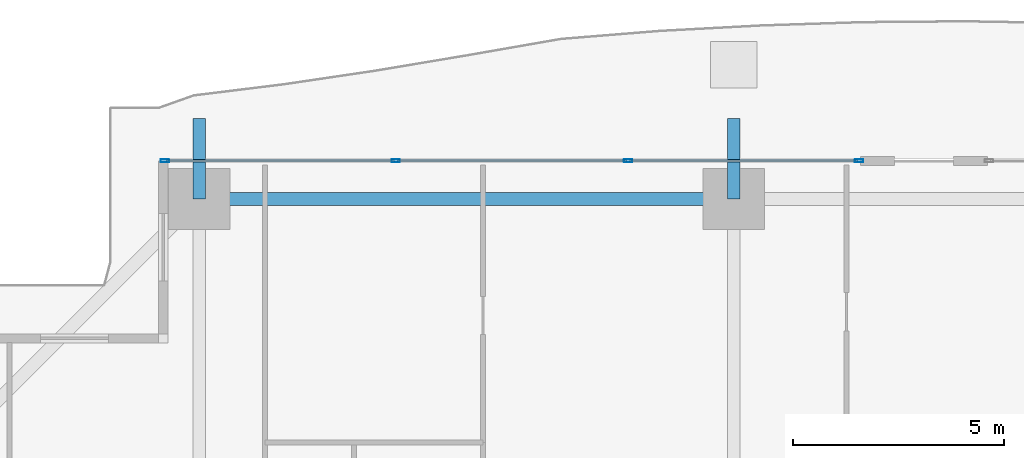
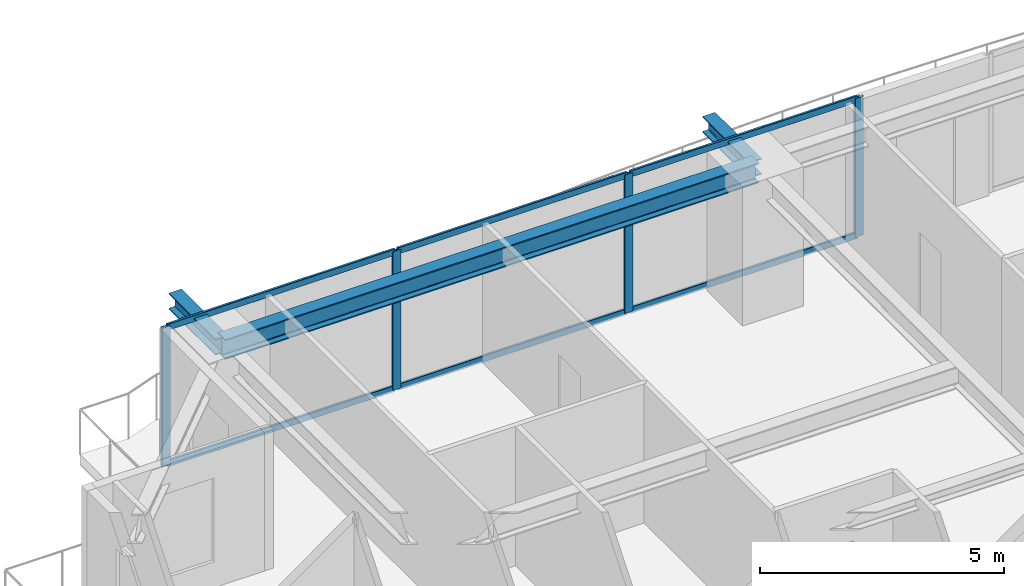
# One storey, part 17 of 35: 10 members, 3 beams, 1 element without a shape of its own.
"""IFC4 building model written with IfcOpenShell, lengths in metres."""

import ifcopenshell
import ifcopenshell.guid

model = None  # the IFC model being written
_history = None  # IfcOwnerHistory: only IFC2X3 demands one
_inside = {}  # id of a spatial element -> (the spatial element, [elements in it])
_under = {}  # id of a project, library or spatial element -> (it, [spatial elements below it])
_declared = {}  # id of a project -> (the project, [libraries it declares])
_typed = {}  # id of a type object -> (the type object, [elements of that type])
_made_of = {}  # id of a material, layer set ... -> (it, [elements and type objects made of it])


def new_model(schema):
    """Start an empty IFC model of exactly this schema.

    Asked for "IFC4X3", IfcOpenShell would pick the latest addendum, in which some entities
    have other attributes; the version numbers below select the first issue.
    IFC2X3 requires an IfcOwnerHistory on every rooted entity: one is made here for all.
    """
    global model, _history
    if schema == "IFC4X3":
        model = ifcopenshell.file(schema_version=(4, 3, 0, 0))
    else:
        model = ifcopenshell.file(schema=schema)
    _inside.clear()
    _under.clear()
    _declared.clear()
    _typed.clear()
    _made_of.clear()
    _history = None
    if model.schema == "IFC2X3":
        org = make("IfcOrganization", Name="unknown")
        user = make(
            "IfcPersonAndOrganization",
            ThePerson=make("IfcPerson", FamilyName="unknown"),
            TheOrganization=org,
        )
        app = make(
            "IfcApplication",
            ApplicationDeveloper=org,
            Version="unknown",
            ApplicationFullName="unknown",
            ApplicationIdentifier="unknown",
        )
        _history = make(
            "IfcOwnerHistory",
            OwningUser=user,
            OwningApplication=app,
            ChangeAction="ADDED",
            CreationDate=0,
        )
    return model


def make(cls, **values):
    """One entity of the class cls with the attributes given. An attribute that is None is left unset."""
    return model.create_entity(
        cls, **{name: value for name, value in values.items() if value is not None}
    )


def rooted(cls, **values):
    """An entity with a GlobalId (a new one), such as an element, a storey or a relation."""
    return make(cls, GlobalId=ifcopenshell.guid.new(), OwnerHistory=_history, **values)


def si_unit(unit_type, name, prefix=None):
    """IfcSIUnit, for example si_unit("LENGTHUNIT", "METRE", prefix="MILLI")."""
    return make("IfcSIUnit", UnitType=unit_type, Prefix=prefix, Name=name)


def assignment(units):
    """IfcUnitAssignment: the units of a project."""
    return None if units is None else make("IfcUnitAssignment", Units=units)


def point(xyz):
    """IfcCartesianPoint."""
    return None if xyz is None else make("IfcCartesianPoint", Coordinates=xyz)


def direction(xyz):
    """IfcDirection."""
    return None if xyz is None else make("IfcDirection", DirectionRatios=xyz)


def frame(location, z_axis=None, x_axis=None):
    """IfcAxis2Placement3D, a coordinate frame: its origin and axes. An axis left out is left unset."""
    return make(
        "IfcAxis2Placement3D",
        Location=point(location),
        Axis=direction(z_axis),
        RefDirection=direction(x_axis),
    )


def frame_2d(location, x_axis=None):
    """IfcAxis2Placement2D, a coordinate frame in the plane: its origin and x axis."""
    return make(
        "IfcAxis2Placement2D", Location=point(location), RefDirection=direction(x_axis)
    )


def origin():
    """The frame at (0, 0, 0) with its axes left unset."""
    return frame((0.0, 0.0, 0.0))


def origin_2d():
    """The frame at (0, 0) in the plane with its x axis left unset."""
    return frame_2d((0.0, 0.0))


def place(relative_to, where):
    """IfcLocalPlacement: puts the frame where relative to a parent placement (None: the world)."""
    return make(
        "IfcLocalPlacement", PlacementRelTo=relative_to, RelativePlacement=where
    )


def context(
    kind, dimensions, precision=None, world=None, true_north=None, identifier=None
):
    """IfcGeometricRepresentationContext, for example the 3D "Model" context."""
    return make(
        "IfcGeometricRepresentationContext",
        ContextIdentifier=identifier,
        ContextType=kind,
        CoordinateSpaceDimension=dimensions,
        Precision=precision,
        WorldCoordinateSystem=world,
        TrueNorth=true_north,
    )


def subcontext(parent, identifier, kind, view, scale=None):
    """IfcGeometricRepresentationSubContext, for example "Body" below "Model"."""
    return make(
        "IfcGeometricRepresentationSubContext",
        ContextIdentifier=identifier,
        ContextType=kind,
        ParentContext=parent,
        TargetScale=scale,
        TargetView=view,
    )


def project(units=None, contexts=None):
    """IfcProject with its units and contexts."""
    return rooted(
        "IfcProject",
        Name="project",
        RepresentationContexts=contexts,
        UnitsInContext=assignment(units),
    )


def spatial(cls, under=None, at=None, **own):
    """A site, building, storey or space (cls), placed at a placement, below another one or the project."""
    s = rooted(cls, ObjectPlacement=at, **own)
    if under is not None:
        _under.setdefault(under.id(), (under, []))[1].append(s)
    return s


def profile(cls, at=None, kind="AREA", **sizes):
    """A parametric profile (cls). Its sizes go by their IFC names, for example OverallWidth=200.0."""
    return make(cls, ProfileType=kind, Position=at, **sizes)


def hollow_rectangle(**sizes):
    """IfcRectangleHollowProfileDef."""
    return profile("IfcRectangleHollowProfileDef", **sizes)


def i_section(**sizes):
    """IfcIShapeProfileDef."""
    return profile("IfcIShapeProfileDef", **sizes)


def extrude(swept, where, along, depth):
    """IfcExtrudedAreaSolid: the profile swept, set in the frame where, extruded along a direction by depth."""
    return make(
        "IfcExtrudedAreaSolid",
        SweptArea=swept,
        Position=where,
        ExtrudedDirection=direction(along),
        Depth=depth,
    )


def shape(context_of_items, identifier, shape_type, items):
    """IfcShapeRepresentation: the items that make up one representation, for example the "Body"."""
    return make(
        "IfcShapeRepresentation",
        ContextOfItems=context_of_items,
        RepresentationIdentifier=identifier,
        RepresentationType=shape_type,
        Items=items,
    )


def source(mapping_origin, context_of_items, identifier, shape_type, items):
    """IfcRepresentationMap: a shape defined once, which mapped items show again and again."""
    return make(
        "IfcRepresentationMap",
        MappingOrigin=mapping_origin,
        MappedRepresentation=shape(context_of_items, identifier, shape_type, items),
    )


def transform(
    local_origin,
    x_axis=None,
    y_axis=None,
    z_axis=None,
    scale=None,
    scale2=None,
    scale3=None,
    uniform=True,
):
    """IfcCartesianTransformationOperator3D, or its non-uniform kind. x_axis, y_axis, z_axis: its Axis1, 2, 3."""
    if uniform:
        return make(
            "IfcCartesianTransformationOperator3D",
            Axis1=direction(x_axis),
            Axis2=direction(y_axis),
            LocalOrigin=point(local_origin),
            Scale=scale,
            Axis3=direction(z_axis),
        )
    return make(
        "IfcCartesianTransformationOperator3DnonUniform",
        Axis1=direction(x_axis),
        Axis2=direction(y_axis),
        LocalOrigin=point(local_origin),
        Scale=scale,
        Axis3=direction(z_axis),
        Scale2=scale2,
        Scale3=scale3,
    )


def mapped(mapping_source, mapping_target):
    """IfcMappedItem: shows the shape of a source again, moved by a transform."""
    return make(
        "IfcMappedItem", MappingSource=mapping_source, MappingTarget=mapping_target
    )


def material(Name=None, Category=None):
    """IfcMaterial."""
    return make("IfcMaterial", Name=Name, Category=Category)


def layer(
    of_material, thickness, ventilated=None, Name=None, Category=None, Priority=None
):
    """IfcMaterialLayer: one layer of a wall or slab, of a material (None: an air gap)."""
    return make(
        "IfcMaterialLayer",
        Material=of_material,
        LayerThickness=thickness,
        IsVentilated=ventilated,
        Name=Name,
        Category=Category,
        Priority=Priority,
    )


def layer_set(layers, Name=None):
    """IfcMaterialLayerSet."""
    return make("IfcMaterialLayerSet", MaterialLayers=layers, LayerSetName=Name)


def material_profile(
    of_material, cross_section, Name=None, Category=None, Priority=None
):
    """IfcMaterialProfile: a cross section and its material."""
    return make(
        "IfcMaterialProfile",
        Name=Name,
        Material=of_material,
        Profile=cross_section,
        Priority=Priority,
        Category=Category,
    )


def profile_set(profiles, Name=None, composite=None):
    """IfcMaterialProfileSet."""
    return make(
        "IfcMaterialProfileSet",
        Name=Name,
        MaterialProfiles=profiles,
        CompositeProfile=composite,
    )


def made_of(thing, what):
    """Note that an element or type object is made of a material, layer set ...; save() writes the relation."""
    if what is not None:
        _made_of.setdefault(what.id(), (what, []))[1].append(thing)
    return thing


def type_object(cls, material=None, **own):
    """A type object (cls), such as IfcWallType, which elements share."""
    return made_of(rooted(cls, **own), material)


def element(
    cls,
    number,
    at=None,
    inside=None,
    cuts=None,
    type_object=None,
    material=None,
    context=None,
    identifier="Body",
    shape_type=None,
    held_by="IfcProductDefinitionShape",
    body=None,
    shapes=None,
    **own,
):
    """One element of the class cls, such as IfcWall. Its Tag is "e" and its number.

    at: its placement. inside: the storey or other place that contains it. cuts: it is an
    opening in that element (IfcRelVoidsElement). A single representation is given by context,
    identifier, shape_type and body (its items); several are given by shapes. held_by: the class
    of the entity that holds the representations. save() writes the other relations.
    """
    e = rooted(cls, Tag="e%d" % number, ObjectPlacement=at, **own)
    if body is not None:
        shapes = [shape(context, identifier, shape_type, body)]
    if shapes is not None:
        e.Representation = make(held_by, Representations=shapes)
    if inside is not None:
        _inside.setdefault(inside.id(), (inside, []))[1].append(e)
    if cuts is not None:
        rooted(
            "IfcRelVoidsElement", RelatingBuildingElement=cuts, RelatedOpeningElement=e
        )
    if type_object is not None:
        _typed.setdefault(type_object.id(), (type_object, []))[1].append(e)
    return made_of(e, material)


def aggregate(whole, parts):
    """IfcRelAggregates: a whole, such as a stair, and the parts it consists of."""
    return rooted("IfcRelAggregates", RelatingObject=whole, RelatedObjects=parts)


def save(model, path):
    """Write the relations noted so far, then the file.

    IfcRelAggregates (storeys below a building ...), IfcRelContainedInSpatialStructure (elements
    in a storey), IfcRelDefinesByType, IfcRelAssociatesMaterial and IfcRelDeclares: one each for
    every whole, place, type object, material and project.
    """
    for whole, parts in _under.values():
        aggregate(whole, parts)
    for where, things in _inside.values():
        rooted(
            "IfcRelContainedInSpatialStructure",
            RelatedElements=things,
            RelatingStructure=where,
        )
    for kind, things in _typed.values():
        rooted("IfcRelDefinesByType", RelatedObjects=things, RelatingType=kind)
    for what, things in _made_of.values():
        rooted("IfcRelAssociatesMaterial", RelatedObjects=things, RelatingMaterial=what)
    for by, libraries in _declared.values():
        rooted("IfcRelDeclares", RelatingContext=by, RelatedDefinitions=libraries)
    model.write(path)


model = new_model("IFC4")

# Units and contexts
model_context = context("Model", 3, precision=1e-05, world=origin(), true_north=direction((0.0, 1.0)))
body_context = subcontext(model_context, "Body", "Model", "MODEL_VIEW")
ifc_project = project(units=[si_unit("LENGTHUNIT", "METRE"), si_unit("AREAUNIT", "SQUARE_METRE"), si_unit("VOLUMEUNIT", "CUBIC_METRE"), si_unit("PLANEANGLEUNIT", "RADIAN"), si_unit("MASSUNIT", "GRAM", prefix="KILO")], contexts=[model_context])

# Site, building, storey
site_placement = place(None, origin())
site = spatial("IfcSite", under=ifc_project, at=site_placement, CompositionType="ELEMENT")
building_placement = place(site_placement, origin())
building = spatial("IfcBuilding", under=site, at=building_placement, Name="Serunith Strait Residences", CompositionType="ELEMENT")
storey_placement = place(building_placement, frame((0.0, 0.0, 71.699951171875)))
storey = spatial("IfcBuildingStorey", under=building, at=storey_placement, Name="L17", CompositionType="ELEMENT", Elevation=71.699951171875)

# Beams
ifc_material_1 = material(Name="Steel S355J2", Category="steel")
ifc_material_profile_1 = material_profile(ifc_material_1, i_section(OverallWidth=0.300048828125, OverallDepth=0.5, WebThickness=0.014404296875, FlangeThickness=0.028076171875, FilletRadius=0.027099609375, at=origin_2d()), Name="HEB 500")
ifc_profile_set_1 = profile_set([ifc_material_profile_1], Name="Steel S355J2")
beam_type_1 = type_object("IfcBeamType", Name="BM-HEB500", PredefinedType="BEAM", material=ifc_profile_set_1)
shared_shape_1 = source(origin(), body_context, "Body", "SweptSolid", [
    extrude(i_section(OverallWidth=0.300048828125, OverallDepth=0.5, WebThickness=0.014404296875, FlangeThickness=0.028076171875, FilletRadius=0.027099609375, at=origin_2d()), origin(), (0.0, 0.0, 1.0), 12.64990234375),
])
beam_placement = place(storey_placement, frame((27.89990234375, 49.300048828125, 3.237060546875), z_axis=(-1.0, 0.0, 0.0), x_axis=(0.0, -1.0, 0.0)))
element("IfcBeam", 1, at=beam_placement, inside=storey, type_object=beam_type_1, Name="L17 Perimeter Ring Beam 11", PredefinedType="BEAM", context=body_context, shape_type="MappedRepresentation", body=[
    mapped(shared_shape_1, transform((0.0, 0.0, 0.0), scale=1.0)),
])
ifc_material_profile_2 = material_profile(ifc_material_1, i_section(OverallWidth=0.300048828125, OverallDepth=0.39990234375, WebThickness=0.013427734375, FlangeThickness=0.02392578125, FilletRadius=0.027099609375, at=origin_2d()), Name="HEB 400")
ifc_profile_set_2 = profile_set([ifc_material_profile_2], Name="Steel S355J2")
beam_type_2 = type_object("IfcBeamType", Name="BM-HEB400", PredefinedType="BEAM", material=ifc_profile_set_2)
shared_shape_2 = source(origin(), body_context, "Body", "SweptSolid", [
    extrude(i_section(OverallWidth=0.300048828125, OverallDepth=0.39990234375, WebThickness=0.013427734375, FlangeThickness=0.02392578125, FilletRadius=0.027099609375, at=origin_2d()), origin(), (0.0, 0.0, 1.0), 1.909912109375),
])
for number, where, z_axis, x_axis, name in (
    (2, (15.25, 49.300048828125, 3.257080078125), (0.0, 1.0, 0.0), (-1.0, 0.0, 0.0), "L18 Cantilevered Balcony Rib TC-N1"),
    (3, (27.89990234375, 49.300048828125, 3.257080078125), (0.0, 1.0, 0.0), (-1.0, 0.0, 0.0), "L18 Cantilevered Balcony Rib TC-N2"),
):
    element("IfcBeam", number, at=place(storey_placement, frame(where, z_axis=z_axis, x_axis=x_axis)), inside=storey, type_object=beam_type_2, Name=name, PredefinedType="BEAM", context=body_context, shape_type="MappedRepresentation", body=[
        mapped(shared_shape_2, transform((0.0, 0.0, 0.0), scale=1.0)),
    ])

# Curtain wall, members
ifc_material_2 = material(Name="Pale-Champagne Anodised Aluminium", Category="aluminium")
ifc_layer = layer(ifc_material_2, 0.199951171875, Name="Pale-Champagne Anodised Aluminium")
ifc_layer_set = layer_set([ifc_layer], Name="Pale-Champagne Anodised Aluminium")
curtain_wall_type = type_object("IfcCurtainWallType", Name="CW-SYS1", PredefinedType="NOTDEFINED", material=ifc_layer_set)
curtain_wall_placement = place(storey_placement, origin())
curtain_wall = element("IfcCurtainWall", 4, at=curtain_wall_placement, inside=storey, type_object=curtain_wall_type, Name="L17 N Unitised Fritted Curtain Wall", PredefinedType="NOTDEFINED")
ifc_material_profile_3 = material_profile(ifc_material_2, hollow_rectangle(XDim=0.070068359375, YDim=0.199951171875, WallThickness=0.00390625, InnerFilletRadius=0.006103515625, OuterFilletRadius=0.010009765625, at=origin_2d()), Name="ALU 200x70x4")
ifc_profile_set_3 = profile_set([ifc_material_profile_3], Name="Pale-Champagne Anodised Aluminium")
member_type_1 = type_object("IfcMemberType", Name="CW-SYS1-MULL", PredefinedType="MULLION", material=ifc_profile_set_3)
shared_shape_3 = source(origin(), body_context, "Body", "SweptSolid", [
    extrude(hollow_rectangle(XDim=0.070068359375, YDim=0.199951171875, WallThickness=0.00390625, InnerFilletRadius=0.006103515625, OuterFilletRadius=0.010009765625, at=origin_2d()), origin(), (0.0, 0.0, 1.0), 3.47509765625),
])
member_1_placement = place(storey_placement, frame((30.864990234375, 50.199951171875, 0.0), z_axis=(0.0, 0.0, 1.0), x_axis=(0.0, -1.0, 0.0)))
member_1 = element("IfcMember", 5, at=member_1_placement, type_object=member_type_1, Name="CW-1 mullion 1", PredefinedType="MULLION", context=body_context, shape_type="MappedRepresentation", body=[
    mapped(shared_shape_3, transform((0.0, 0.0, 0.0), scale=1.0)),
])
member_2_placement = place(storey_placement, frame((25.39990234375, 50.199951171875, 0.0), z_axis=(0.0, 0.0, 1.0), x_axis=(0.0, -1.0, 0.0)))
member_2 = element("IfcMember", 6, at=member_2_placement, type_object=member_type_1, Name="CW-1 mullion 2", PredefinedType="MULLION", context=body_context, shape_type="MappedRepresentation", body=[
    mapped(shared_shape_3, transform((0.0, 0.0, 0.0), scale=1.0)),
])
member_3_placement = place(storey_placement, frame((19.89990234375, 50.199951171875, 0.0), z_axis=(0.0, 0.0, 1.0), x_axis=(0.0, -1.0, 0.0)))
member_3 = element("IfcMember", 7, at=member_3_placement, type_object=member_type_1, Name="CW-1 mullion 3", PredefinedType="MULLION", context=body_context, shape_type="MappedRepresentation", body=[
    mapped(shared_shape_3, transform((0.0, 0.0, 0.0), scale=1.0)),
])
member_4_placement = place(storey_placement, frame((14.43505859375, 50.199951171875, 0.0), z_axis=(0.0, 0.0, 1.0), x_axis=(0.0, -1.0, 0.0)))
member_4 = element("IfcMember", 8, at=member_4_placement, type_object=member_type_1, Name="CW-1 mullion 4", PredefinedType="MULLION", context=body_context, shape_type="MappedRepresentation", body=[
    mapped(shared_shape_3, transform((0.0, 0.0, 0.0), scale=1.0)),
])
ifc_material_profile_4 = material_profile(ifc_material_2, hollow_rectangle(XDim=0.06005859375, YDim=0.159912109375, WallThickness=0.00341796875, InnerFilletRadius=0.00537109375, OuterFilletRadius=0.0087890625, at=origin_2d()), Name="ALU 160x60x3.5")
ifc_profile_set_4 = profile_set([ifc_material_profile_4], Name="Pale-Champagne Anodised Aluminium")
member_type_2 = type_object("IfcMemberType", Name="CW-SYS1-TRAN", PredefinedType="USERDEFINED", material=ifc_profile_set_4)
shared_shape_4 = source(origin(), body_context, "Body", "SweptSolid", [
    extrude(hollow_rectangle(XDim=0.06005859375, YDim=0.159912109375, WallThickness=0.00341796875, InnerFilletRadius=0.00537109375, OuterFilletRadius=0.0087890625, at=origin_2d()), origin(), (0.0, 0.0, 1.0), 5.39501953125),
])
member_5_placement = place(storey_placement, frame((30.830078125, 50.199951171875, 0.030029296875), z_axis=(-1.0, 0.0, 0.0), x_axis=(0.0, -1.0, 0.0)))
member_5 = element("IfcMember", 9, at=member_5_placement, type_object=member_type_2, Name="CW-1 transom 1.1", ObjectType="TRANSOM", PredefinedType="USERDEFINED", context=body_context, shape_type="MappedRepresentation", body=[
    mapped(shared_shape_4, transform((0.0, 0.0, 0.0), scale=1.0)),
])
member_6_placement = place(storey_placement, frame((30.830078125, 50.199951171875, 3.445068359375), z_axis=(-1.0, 0.0, 0.0), x_axis=(0.0, -1.0, 0.0)))
member_6 = element("IfcMember", 10, at=member_6_placement, type_object=member_type_2, Name="CW-1 transom 1.2", ObjectType="TRANSOM", PredefinedType="USERDEFINED", context=body_context, shape_type="MappedRepresentation", body=[
    mapped(shared_shape_4, transform((0.0, 0.0, 0.0), scale=1.0)),
])
member_7_placement = place(storey_placement, frame((19.864990234375, 50.199951171875, 0.030029296875), z_axis=(-1.0, 0.0, 0.0), x_axis=(0.0, -1.0, 0.0)))
member_7 = element("IfcMember", 11, at=member_7_placement, type_object=member_type_2, Name="CW-1 transom 3.1", ObjectType="TRANSOM", PredefinedType="USERDEFINED", context=body_context, shape_type="MappedRepresentation", body=[
    mapped(shared_shape_4, transform((0.0, 0.0, 0.0), scale=1.0)),
])
member_8_placement = place(storey_placement, frame((19.864990234375, 50.199951171875, 3.445068359375), z_axis=(-1.0, 0.0, 0.0), x_axis=(0.0, -1.0, 0.0)))
member_8 = element("IfcMember", 12, at=member_8_placement, type_object=member_type_2, Name="CW-1 transom 3.2", ObjectType="TRANSOM", PredefinedType="USERDEFINED", context=body_context, shape_type="MappedRepresentation", body=[
    mapped(shared_shape_4, transform((0.0, 0.0, 0.0), scale=1.0)),
])
shared_shape_5 = source(origin(), body_context, "Body", "SweptSolid", [
    extrude(hollow_rectangle(XDim=0.06005859375, YDim=0.159912109375, WallThickness=0.00341796875, InnerFilletRadius=0.00537109375, OuterFilletRadius=0.0087890625, at=origin_2d()), origin(), (0.0, 0.0, 1.0), 5.429931640625),
])
member_9_placement = place(storey_placement, frame((25.364990234375, 50.199951171875, 0.030029296875), z_axis=(-1.0, 0.0, 0.0), x_axis=(0.0, -1.0, 0.0)))
member_9 = element("IfcMember", 13, at=member_9_placement, type_object=member_type_2, Name="CW-1 transom 2.1", ObjectType="TRANSOM", PredefinedType="USERDEFINED", context=body_context, shape_type="MappedRepresentation", body=[
    mapped(shared_shape_5, transform((0.0, 0.0, 0.0), scale=1.0)),
])
member_10_placement = place(storey_placement, frame((25.364990234375, 50.199951171875, 3.445068359375), z_axis=(-1.0, 0.0, 0.0), x_axis=(0.0, -1.0, 0.0)))
member_10 = element("IfcMember", 14, at=member_10_placement, type_object=member_type_2, Name="CW-1 transom 2.2", ObjectType="TRANSOM", PredefinedType="USERDEFINED", context=body_context, shape_type="MappedRepresentation", body=[
    mapped(shared_shape_5, transform((0.0, 0.0, 0.0), scale=1.0)),
])
aggregate(curtain_wall, [member_1, member_2, member_3, member_4, member_5, member_6, member_9, member_10, member_7, member_8])

save(model, "model.ifc")
